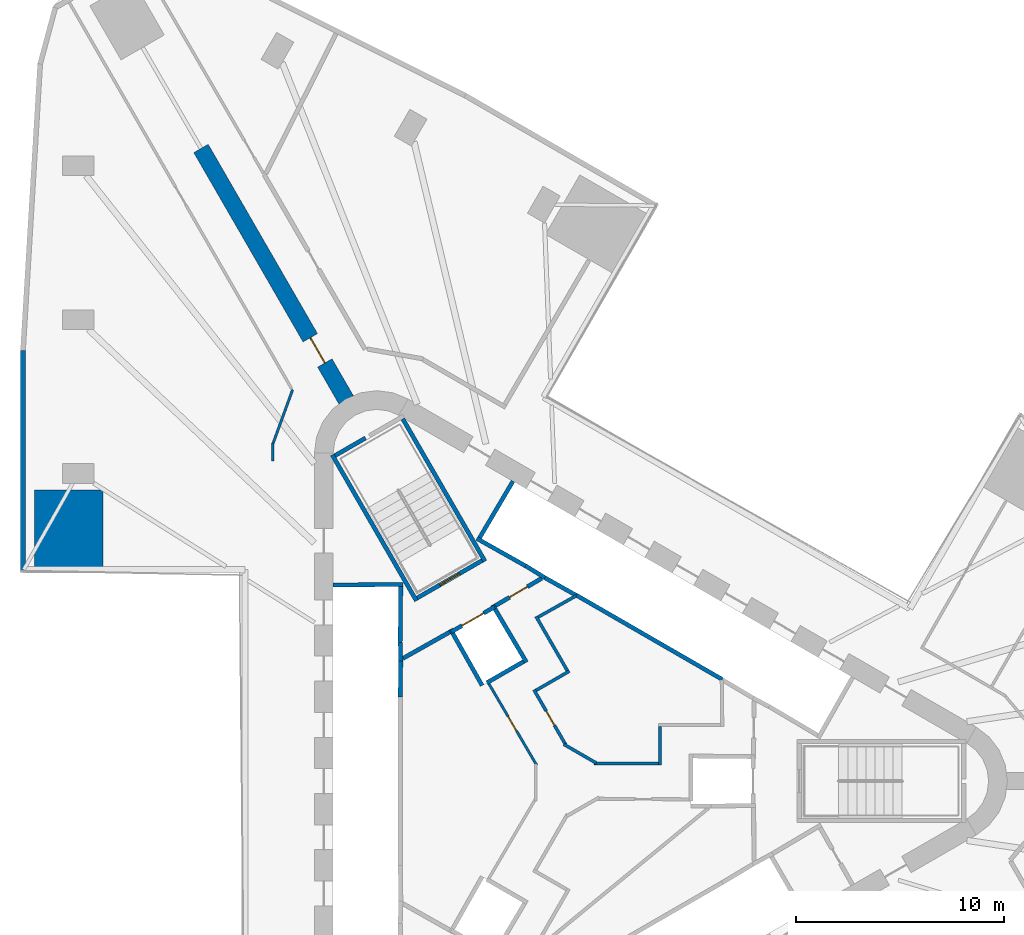
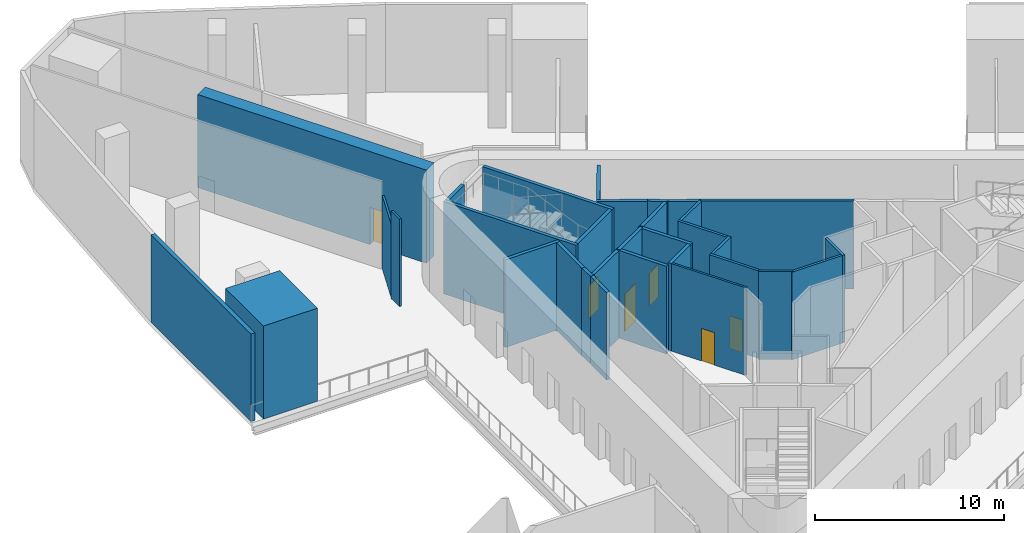
# One storey, part 5 of 11: 32 walls, 6 doors, 6 openings.
"""IFC4 building model written with IfcOpenShell, lengths in metres."""

from ifc_helpers import new_model, si_unit, direction, frame, frame_2d, origin, place, context, subcontext, project, spatial, polyline, rectangle, outline, extrude, material, layer, layer_set, type_object, element, fill, save


model = new_model("IFC4")

# Units and contexts
model_context = context("Model", 3, precision=1e-05, world=origin(), true_north=direction((0.0, 1.0)))
body_context = subcontext(model_context, "Body", "Model", "MODEL_VIEW")
ifc_project = project(units=[si_unit("LENGTHUNIT", "METRE"), si_unit("AREAUNIT", "SQUARE_METRE"), si_unit("VOLUMEUNIT", "CUBIC_METRE"), si_unit("PLANEANGLEUNIT", "RADIAN"), si_unit("MASSUNIT", "GRAM", prefix="KILO")], contexts=[model_context])

# Site, building, storey
site_placement = place(None, origin())
site = spatial("IfcSite", under=ifc_project, at=site_placement, CompositionType="ELEMENT")
building_placement = place(site_placement, origin())
building = spatial("IfcBuilding", under=site, at=building_placement, Name="Tanit Gate Tower", CompositionType="ELEMENT")
storey_placement = place(building_placement, frame((0.0, 0.0, 33.5)))
storey = spatial("IfcBuildingStorey", under=building, at=storey_placement, Name="L05", CompositionType="ELEMENT", Elevation=33.5)

# Wall, opening, door
ifc_material_1 = material(Name="Concrete C60/75", Category="concrete")
ifc_layer_1 = layer(ifc_material_1, 0.800048828125)
ifc_layer_set_1 = layer_set([ifc_layer_1], Name="BUTTRESS FIN 800 C60/75")
wall_type_1 = type_object("IfcWallType", Name="BUTTRESS FIN 800 C60/75", PredefinedType="SHEAR", material=ifc_layer_set_1)
wall_1_placement = place(storey_placement, frame((-10.574951171875, 18.31640625, 0.0), z_axis=(0.0, 0.0, 1.0), x_axis=(-0.499996575515, 0.866027380903, 0.0)))
wall_1 = element("IfcWall", 1, at=wall_1_placement, inside=storey, type_object=wall_type_1, Name="BUTTRESS FIN", PredefinedType="SHEAR", context=body_context, shape_type="SweptSolid", body=[
    extrude(rectangle(XDim=13.9541015625, YDim=0.800048828125, at=frame_2d((6.97705078125, 0.0))), origin(), (0.0, 0.0, 1.0), 6.0),
])
opening_1_placement = place(wall_1_placement, frame((2.050048828125, 0.0, 0.0)))
opening_1 = element("IfcOpeningElement", 2, at=opening_1_placement, cuts=wall_1, Name="Opening P14-05-F-NW-1", PredefinedType="OPENING", context=body_context, shape_type="SweptSolid", body=[
    extrude(rectangle(XDim=1.39990234375, YDim=2.39990234375, at=frame_2d((0.699951171875, 1.199951171875))), frame((0.0, 0.41015625, 0.0), z_axis=(0.0, -1.0, 0.0), x_axis=(1.0, 0.0, 0.0)), (0.0, 0.0, 1.0), 0.820068359375),
])
ifc_material_2 = material(Name="Timber door leaf", Category="wood")
door_type_1 = type_object("IfcDoorType", Name="INT-DOOR-FIN-PAIR-1400", OperationType="NOTDEFINED", PredefinedType="NOTDEFINED", material=ifc_material_2)
door_1_placement = place(opening_1_placement, origin())
door_1 = element("IfcDoor", 3, at=door_1_placement, inside=storey, type_object=door_type_1, Name="Door P14-05-F-NW-1", OperationType="DOUBLE_DOOR_SINGLE_SWING", OverallHeight=2.39990234375, OverallWidth=1.39990234375, PredefinedType="NOTDEFINED", context=body_context, shape_type="SweptSolid", body=[
    extrude(rectangle(XDim=1.39990234375, YDim=2.39990234375, at=frame_2d((0.699951171875, 1.199951171875))), frame((0.0, 0.02490234375, 0.0), z_axis=(0.0, -1.0, 0.0), x_axis=(1.0, 0.0, 0.0)), (0.0, 0.0, 1.0), 0.050048828125),
])
fill(opening_1, door_1)

# Walls
ifc_material_3 = material(Name="Concrete C30/37 with bronze anodised aluminium cladding", Category="concrete")
ifc_layer_2 = layer(ifc_material_3, 0.239990234375)
ifc_layer_set_2 = layer_set([ifc_layer_2], Name="Facade wall bronze clad 240")
wall_type_2 = type_object("IfcWallType", Name="Facade wall bronze clad 240", PredefinedType="SOLIDWALL", material=ifc_layer_set_2)
wall_2_placement = place(storey_placement, frame((-26.10986328125, 20.685302734375, 0.0), z_axis=(0.0, 0.0, 1.0), x_axis=(6.9319284e-05, -0.999999997597, 0.0)))
element("IfcWall", 4, at=wall_2_placement, inside=storey, type_object=wall_type_2, Name="Bronze-clad facade wall L05 W2a", PredefinedType="SOLIDWALL", context=body_context, shape_type="SweptSolid", body=[
    extrude(rectangle(XDim=10.56591796875, YDim=0.239990234375, at=frame_2d((5.282958984375, 0.0))), origin(), (0.0, 0.0, 1.0), 5.64990234375),
])
ifc_material_4 = material(Name="Fire-rated gypsum board partition")
ifc_layer_3 = layer(ifc_material_4, 0.199951171875)
ifc_layer_set_3 = layer_set([ifc_layer_3], Name="INT-WALL-COMPARTMENT")
wall_type_3 = type_object("IfcWallType", Name="INT-WALL-COMPARTMENT", PredefinedType="PARTITIONING", material=ifc_layer_set_3)
wall_3_placement = place(storey_placement, frame((-5.600341796875, 7.16015625, 0.0), z_axis=(0.0, 0.0, 1.0), x_axis=(-0.871340486379, -0.490678873396, 0.0)))
element("IfcWall", 5, at=wall_3_placement, inside=storey, type_object=wall_type_3, Name="Wall Compartment W065", PredefinedType="PARTITIONING", context=body_context, shape_type="SweptSolid", body=[
    extrude(rectangle(XDim=2.580810546875, YDim=0.199951171875, at=frame_2d((1.29052734375, 0.0))), origin(), (0.0, 0.0, 1.0), 5.64990234375),
])

# Wall, opening, door
wall_4_placement = place(storey_placement, frame((-1.179443359375, 9.74462890625, 0.0), z_axis=(0.0, 0.0, 1.0), x_axis=(-0.860598681535, -0.509283721849, 0.0)))
wall_4 = element("IfcWall", 6, at=wall_4_placement, inside=storey, type_object=wall_type_3, Name="Wall Compartment W066", PredefinedType="PARTITIONING", context=body_context, shape_type="SweptSolid", body=[
    extrude(rectangle(XDim=2.5810546875, YDim=0.199951171875, at=frame_2d((1.29052734375, 0.0))), origin(), (0.0, 0.0, 1.0), 5.64990234375),
])
opening_2_placement = place(wall_4_placement, frame((0.79052734375, 0.0, 0.0)))
opening_2 = element("IfcOpeningElement", 7, at=opening_2_placement, cuts=wall_4, Name="Opening F10-05-05", PredefinedType="OPENING", context=body_context, shape_type="SweptSolid", body=[
    extrude(rectangle(XDim=1.0, YDim=2.10009765625, at=frame_2d((0.5, 1.050048828125))), frame((0.0, 0.10986328125, 0.0), z_axis=(0.0, -1.0, 0.0), x_axis=(1.0, 0.0, 0.0)), (0.0, 0.0, 1.0), 0.219970703125),
])
ifc_material_5 = material(Name="Fire-rated steel door leaf", Category="steel")
door_type_2 = type_object("IfcDoorType", Name="INT-DOOR-FIRE-1000", OperationType="NOTDEFINED", PredefinedType="USERDEFINED", material=ifc_material_5)
door_2_placement = place(opening_2_placement, origin())
door_2 = element("IfcDoor", 8, at=door_2_placement, inside=storey, type_object=door_type_2, Name="Door F10-05-05", ObjectType="FIRE DOOR", OperationType="SINGLE_SWING_RIGHT", OverallHeight=2.10009765625, OverallWidth=1.0, PredefinedType="USERDEFINED", context=body_context, shape_type="SweptSolid", body=[
    extrude(rectangle(XDim=1.0, YDim=2.10009765625, at=frame_2d((0.5, 1.050048828125))), frame((0.0, 0.02490234375, 0.0), z_axis=(0.0, -1.0, 0.0), x_axis=(1.0, 0.0, 0.0)), (0.0, 0.0, 1.0), 0.050048828125),
])
fill(opening_2, door_2)

ifc_material_6 = material(Name="Gypsum board partition")
ifc_layer_4 = layer(ifc_material_6, 0.1201171875)
ifc_layer_set_4 = layer_set([ifc_layer_4], Name="INT-WALL-PARTITION")
wall_type_4 = type_object("IfcWallType", Name="INT-WALL-PARTITION", PredefinedType="PARTITIONING", material=ifc_layer_set_4)
wall_5_placement = place(storey_placement, frame((-1.42041015625, 0.76171875, 0.0), z_axis=(0.0, 0.0, 1.0), x_axis=(-0.505655878767, 0.862735261983, 0.0)))
wall_5 = element("IfcWall", 9, at=wall_5_placement, inside=storey, type_object=wall_type_4, Name="Wall Partition W069", PredefinedType="PARTITIONING", context=body_context, shape_type="SweptSolid", body=[
    extrude(rectangle(XDim=4.5302734375, YDim=0.1201171875, at=frame_2d((2.26513671875, 0.0))), origin(), (0.0, 0.0, 1.0), 5.64990234375),
])
opening_3_placement = place(wall_5_placement, frame((1.916259765625, 0.0, 0.0)))
opening_3 = element("IfcOpeningElement", 10, at=opening_3_placement, cuts=wall_5, Name="Opening R08-05-10", PredefinedType="OPENING", context=body_context, shape_type="SweptSolid", body=[
    extrude(rectangle(XDim=0.800048828125, YDim=2.10009765625, at=frame_2d((0.39990234375, 1.050048828125))), frame((0.0, 0.070068359375, 0.0), z_axis=(0.0, -1.0, 0.0), x_axis=(1.0, 0.0, 0.0)), (0.0, 0.0, 1.0), 0.14013671875),
])
ifc_material_7 = material(Name="Timber door leaf", Category="wood")
door_type_3 = type_object("IfcDoorType", Name="INT-DOOR-RISER-800", OperationType="NOTDEFINED", PredefinedType="USERDEFINED", material=ifc_material_7)
door_3_placement = place(opening_3_placement, origin())
door_3 = element("IfcDoor", 11, at=door_3_placement, inside=storey, type_object=door_type_3, Name="Door R08-05-10", ObjectType="FIRE DOOR", OperationType="SINGLE_SWING_RIGHT", OverallHeight=2.10009765625, OverallWidth=0.800048828125, PredefinedType="USERDEFINED", context=body_context, shape_type="SweptSolid", body=[
    extrude(rectangle(XDim=0.800048828125, YDim=2.10009765625, at=frame_2d((0.39990234375, 1.050048828125))), frame((0.0, 0.02490234375, 0.0), z_axis=(0.0, -1.0, 0.0), x_axis=(1.0, 0.0, 0.0)), (0.0, 0.0, 1.0), 0.050048828125),
])
fill(opening_3, door_3)

# Walls
wall_6_placement = place(storey_placement, frame((-14.10009765625, 16.253662109375, 0.0), z_axis=(0.0, 0.0, 1.0), x_axis=(0.0, -1.0, 0.0)))
element("IfcWall", 12, at=wall_6_placement, inside=storey, type_object=wall_type_4, Name="Wall Partition W088", PredefinedType="PARTITIONING", context=body_context, shape_type="SweptSolid", body=[
    extrude(rectangle(XDim=0.88037109375, YDim=0.1201171875, at=frame_2d((0.440185546875, 0.0))), origin(), (0.0, 0.0, 1.0), 5.64990234375),
])
wall_7_placement = place(storey_placement, frame((-13.14697265625, 18.81396484375, 0.0), z_axis=(0.0, 0.0, 1.0), x_axis=(-0.34182927991, -0.939762067438, 0.0)))
element("IfcWall", 13, at=wall_7_placement, inside=storey, type_object=wall_type_4, Name="Wall Partition W089", PredefinedType="PARTITIONING", context=body_context, shape_type="SweptSolid", body=[
    extrude(rectangle(XDim=2.728271484375, YDim=0.1201171875, at=frame_2d((1.3642578125, 0.0))), origin(), (0.0, 0.0, 1.0), 4.72998046875),
])
ifc_material_8 = material(Name="Fire-rated gypsum board partition")
ifc_layer_5 = layer(ifc_material_8, 0.14990234375)
ifc_layer_set_5 = layer_set([ifc_layer_5], Name="INT-WALL-RISER")
wall_type_5 = type_object("IfcWallType", Name="INT-WALL-RISER", PredefinedType="PLUMBINGWALL", material=ifc_layer_set_5)
wall_8_placement = place(storey_placement, frame((4.5, 0.77490234375, 0.0), z_axis=(0.0, 0.0, 1.0), x_axis=(0.0, 1.0, 0.0)))
element("IfcWall", 14, at=wall_8_placement, inside=storey, type_object=wall_type_5, Name="Wall Riser W081", PredefinedType="PLUMBINGWALL", context=body_context, shape_type="SweptSolid", body=[
    extrude(rectangle(XDim=1.85009765625, YDim=0.14990234375, at=frame_2d((0.925048828125, 0.0))), origin(), (0.0, 0.0, 1.0), 5.64990234375),
])
wall_9_placement = place(storey_placement, frame((1.34228515625, 0.85009765625, 0.0), z_axis=(0.0, 0.0, 1.0), x_axis=(1.0, 0.0, 0.0)))
element("IfcWall", 15, at=wall_9_placement, inside=storey, type_object=wall_type_5, Name="Wall Riser W082", PredefinedType="PLUMBINGWALL", context=body_context, shape_type="SweptSolid", body=[
    extrude(rectangle(XDim=3.082763671875, YDim=0.14990234375, at=frame_2d((1.54150390625, 0.0))), origin(), (0.0, 0.0, 1.0), 5.64990234375),
])
wall_10_placement = place(storey_placement, frame((-0.112548828125, 1.764892578125, 0.0), z_axis=(0.0, 0.0, 1.0), x_axis=(0.866039322102, -0.499975891992, 0.0)))
element("IfcWall", 16, at=wall_10_placement, inside=storey, type_object=wall_type_5, Name="Wall Riser W083", PredefinedType="PLUMBINGWALL", context=body_context, shape_type="SweptSolid", body=[
    extrude(rectangle(XDim=1.806640625, YDim=0.14990234375, at=frame_2d((0.9033203125, 0.0))), origin(), (0.0, 0.0, 1.0), 5.64990234375),
])

# Wall, opening, door
wall_11_placement = place(storey_placement, frame((-1.55126953125, 4.386962890625, 0.0), z_axis=(0.0, 0.0, 1.0), x_axis=(0.499976393034, -0.866039032844, 0.0)))
wall_11 = element("IfcWall", 17, at=wall_11_placement, inside=storey, type_object=wall_type_5, Name="Wall Riser W084", PredefinedType="PLUMBINGWALL", context=body_context, shape_type="SweptSolid", body=[
    extrude(rectangle(XDim=3.079345703125, YDim=0.14990234375, at=frame_2d((1.53955078125, 0.0))), origin(), (0.0, 0.0, 1.0), 5.64990234375),
])
opening_4_placement = place(wall_11_placement, frame((1.17724609375, 0.0, 0.0)))
opening_4 = element("IfcOpeningElement", 18, at=opening_4_placement, cuts=wall_11, Name="Opening R08-05-13", PredefinedType="OPENING", context=body_context, shape_type="SweptSolid", body=[
    extrude(rectangle(XDim=0.800048828125, YDim=2.10009765625, at=frame_2d((0.39990234375, 1.050048828125))), frame((0.0, 0.0849609375, 0.0), z_axis=(0.0, -1.0, 0.0), x_axis=(1.0, 0.0, 0.0)), (0.0, 0.0, 1.0), 0.169921875),
])
door_4_placement = place(opening_4_placement, origin())
door_4 = element("IfcDoor", 19, at=door_4_placement, inside=storey, type_object=door_type_3, Name="Door R08-05-13", ObjectType="FIRE DOOR", OperationType="SINGLE_SWING_RIGHT", OverallHeight=2.10009765625, OverallWidth=0.800048828125, PredefinedType="USERDEFINED", context=body_context, shape_type="SweptSolid", body=[
    extrude(rectangle(XDim=0.800048828125, YDim=2.10009765625, at=frame_2d((0.39990234375, 1.050048828125))), frame((0.0, 0.02490234375, 0.0), z_axis=(0.0, -1.0, 0.0), x_axis=(1.0, 0.0, 0.0)), (0.0, 0.0, 1.0), 0.050048828125),
])
fill(opening_4, door_4)

# Walls
wall_12_placement = place(storey_placement, frame((0.1533203125, 5.28466796875, 0.0), z_axis=(0.0, 0.0, 1.0), x_axis=(-0.866033964044, -0.499985172903, 0.0)))
element("IfcWall", 20, at=wall_12_placement, inside=storey, type_object=wall_type_5, Name="Wall Riser W085", PredefinedType="PLUMBINGWALL", context=body_context, shape_type="SweptSolid", body=[
    extrude(rectangle(XDim=1.85009765625, YDim=0.14990234375, at=frame_2d((0.925048828125, 0.0))), origin(), (0.0, 0.0, 1.0), 5.64990234375),
])
wall_13_placement = place(storey_placement, frame((-1.44921875, 7.91015625, 0.0), z_axis=(0.0, 0.0, 1.0), x_axis=(0.499990139034, -0.866031096941, 0.0)))
element("IfcWall", 21, at=wall_13_placement, inside=storey, type_object=wall_type_5, Name="Wall Riser W086", PredefinedType="PLUMBINGWALL", context=body_context, shape_type="SweptSolid", body=[
    extrude(rectangle(XDim=3.0, YDim=0.14990234375, at=frame_2d((1.5, 0.0))), origin(), (0.0, 0.0, 1.0), 5.64990234375),
])
wall_14_placement = place(storey_placement, frame((0.475341796875, 8.9052734375, 0.0), z_axis=(0.0, 0.0, 1.0), x_axis=(-0.871843752163, -0.489784107353, 0.0)))
element("IfcWall", 22, at=wall_14_placement, inside=storey, type_object=wall_type_5, Name="Wall Riser W087", PredefinedType="PLUMBINGWALL", context=body_context, shape_type="SweptSolid", body=[
    extrude(rectangle(XDim=2.089599609375, YDim=0.14990234375, at=frame_2d((1.044921875, 0.0))), origin(), (0.0, 0.0, 1.0), 5.64990234375),
])
ifc_material_9 = material(Name="Gypsum shaft wall system")
ifc_layer_6 = layer(ifc_material_9, 0.199951171875)
ifc_layer_set_6 = layer_set([ifc_layer_6], Name="INT-WALL-SHAFT")
wall_type_6 = type_object("IfcWallType", Name="INT-WALL-SHAFT", PredefinedType="PLUMBINGWALL", material=ifc_layer_set_6)
wall_15_placement = place(storey_placement, frame((-11.199951171875, 9.419921875, 0.0), z_axis=(0.0, 0.0, 1.0), x_axis=(0.999957167047, 0.009255488683, 0.0)))
element("IfcWall", 23, at=wall_15_placement, inside=storey, type_object=wall_type_6, Name="Wall Shaft W001", PredefinedType="PLUMBINGWALL", context=body_context, shape_type="SweptSolid", body=[
    extrude(rectangle(XDim=3.35009765625, YDim=0.199951171875, at=frame_2d((1.675048828125, 0.0))), origin(), (0.0, 0.0, 1.0), 5.64990234375),
])
wall_16_placement = place(storey_placement, frame((-7.951171875, 9.35009765625, 0.0), z_axis=(0.0, 0.0, 1.0), x_axis=(-0.011120469654, -0.999938165666, 0.0)))
element("IfcWall", 24, at=wall_16_placement, inside=storey, type_object=wall_type_6, Name="Wall Shaft W002", PredefinedType="PLUMBINGWALL", context=body_context, shape_type="SweptSolid", body=[
    extrude(rectangle(XDim=2.700439453125, YDim=0.199951171875, at=frame_2d((1.35009765625, 0.0))), origin(), (0.0, 0.0, 1.0), 5.64990234375),
])
wall_17_placement = place(storey_placement, frame((7.497314453125, 4.885986328125, 0.0), z_axis=(0.0, 0.0, 1.0), x_axis=(-0.866030989016, 0.499990325971, 0.0)))
element("IfcWall", 25, at=wall_17_placement, inside=storey, type_object=wall_type_6, Name="Wall Shaft W003", PredefinedType="PLUMBINGWALL", context=body_context, shape_type="SweptSolid", body=[
    extrude(rectangle(XDim=8.099853515625, YDim=0.199951171875, at=frame_2d((4.0498046875, 0.0))), origin(), (0.0, 0.0, 1.0), 5.64990234375),
])
wall_18_placement = place(storey_placement, frame((-7.97705078125, 6.650146484375, 0.0), z_axis=(0.0, 0.0, 1.0), x_axis=(0.030861509705, -0.999523670164, 0.0)))
element("IfcWall", 26, at=wall_18_placement, inside=storey, type_object=wall_type_6, Name="Wall Shaft W004", PredefinedType="PLUMBINGWALL", context=body_context, shape_type="SweptSolid", body=[
    extrude(rectangle(XDim=0.878173828125, YDim=0.199951171875, at=frame_2d((0.43896484375, 0.0))), origin(), (0.0, 0.0, 1.0), 5.64990234375),
])
wall_19_placement = place(storey_placement, frame((-7.948974609375, 5.894287109375, 0.0), z_axis=(0.0, 0.0, 1.0), x_axis=(-0.016809909365, -0.999858703491, 0.0)))
element("IfcWall", 27, at=wall_19_placement, inside=storey, type_object=wall_type_6, Name="Wall Shaft W005", PredefinedType="PLUMBINGWALL", context=body_context, shape_type="SweptSolid", body=[
    extrude(rectangle(XDim=1.844482421875, YDim=0.199951171875, at=frame_2d((0.92236328125, 0.0))), origin(), (0.0, 0.0, 1.0), 5.64990234375),
])
wall_20_placement = place(storey_placement, frame((-1.940673828125, 10.338623046875, 0.0), z_axis=(0.0, 0.0, 1.0), x_axis=(0.850216889117, -0.526432561171, 0.0)))
element("IfcWall", 28, at=wall_20_placement, inside=storey, type_object=wall_type_6, Name="Wall Shaft W019", PredefinedType="PLUMBINGWALL", context=body_context, shape_type="SweptSolid", body=[
    extrude(rectangle(XDim=1.078369140625, YDim=0.199951171875, at=frame_2d((0.5390625, 0.0))), origin(), (0.0, 0.0, 1.0), 5.64990234375),
])
wall_21_placement = place(storey_placement, frame((0.478271484375, 8.928466796875, 0.0), z_axis=(0.0, 0.0, 1.0), x_axis=(-0.871988740738, 0.489525929882, 0.0)))
element("IfcWall", 29, at=wall_21_placement, inside=storey, type_object=wall_type_6, Name="Wall Shaft W020", PredefinedType="PLUMBINGWALL", context=body_context, shape_type="SweptSolid", body=[
    extrude(rectangle(XDim=1.8447265625, YDim=0.199951171875, at=frame_2d((0.92236328125, 0.0))), origin(), (0.0, 0.0, 1.0), 5.64990234375),
])
wall_22_placement = place(storey_placement, frame((-4.296142578125, 11.658935546875, 0.0), z_axis=(0.0, 0.0, 1.0), x_axis=(0.871534483978, -0.490334215854, 0.0)))
element("IfcWall", 30, at=wall_22_placement, inside=storey, type_object=wall_type_6, Name="Wall Shaft W021", PredefinedType="PLUMBINGWALL", context=body_context, shape_type="SweptSolid", body=[
    extrude(rectangle(XDim=2.7001953125, YDim=0.199951171875, at=frame_2d((1.35009765625, 0.0))), origin(), (0.0, 0.0, 1.0), 5.64990234375),
])
wall_23_placement = place(storey_placement, frame((-4.158203125, 11.696044921875, 0.0), z_axis=(0.0, 0.0, 1.0), x_axis=(0.508018930956, 0.861345903683, 0.0)))
element("IfcWall", 31, at=wall_23_placement, inside=storey, type_object=wall_type_6, Name="Wall Shaft W022", PredefinedType="PLUMBINGWALL", context=body_context, shape_type="SweptSolid", body=[
    extrude(rectangle(XDim=3.150146484375, YDim=0.199951171875, at=frame_2d((1.5751953125, 0.0))), origin(), (0.0, 0.0, 1.0), 5.64990234375),
])

# Wall, opening, door
wall_24_placement = place(storey_placement, frame((-5.524169921875, 7.168212890625, 0.0), z_axis=(0.0, 0.0, 1.0), x_axis=(0.866024647952, 0.500001309137, 0.0)))
wall_24 = element("IfcWall", 32, at=wall_24_placement, inside=storey, type_object=wall_type_6, Name="Wall Shaft W048", PredefinedType="PLUMBINGWALL", context=body_context, shape_type="SweptSolid", body=[
    extrude(rectangle(XDim=2.39990234375, YDim=0.199951171875, at=frame_2d((1.199951171875, 0.0))), origin(), (0.0, 0.0, 1.0), 5.64990234375),
])
opening_5_placement = place(wall_24_placement, frame((0.60009765625, 0.0, 0.0)))
opening_5 = element("IfcOpeningElement", 33, at=opening_5_placement, cuts=wall_24, Name="Opening LDFL2-L05", PredefinedType="OPENING", context=body_context, shape_type="SweptSolid", body=[
    extrude(rectangle(XDim=1.199951171875, YDim=2.39990234375, at=frame_2d((0.60009765625, 1.199951171875))), frame((0.0, 0.10986328125, 0.0), z_axis=(0.0, -1.0, 0.0), x_axis=(1.0, 0.0, 0.0)), (0.0, 0.0, 1.0), 0.219970703125),
])
ifc_material_10 = material(Name="Stainless steel sliding door leaf", Category="steel")
door_type_4 = type_object("IfcDoorType", Name="INT-DOOR-LANDING-1200", OperationType="NOTDEFINED", PredefinedType="USERDEFINED", material=ifc_material_10)
door_5_placement = place(opening_5_placement, origin())
door_5 = element("IfcDoor", 34, at=door_5_placement, inside=storey, type_object=door_type_4, Name="Door LDFL2-L05", ObjectType="LANDING DOOR", OperationType="SLIDING_TO_LEFT", OverallHeight=2.39990234375, OverallWidth=1.199951171875, PredefinedType="USERDEFINED", context=body_context, shape_type="SweptSolid", body=[
    extrude(rectangle(XDim=1.199951171875, YDim=2.39990234375, at=frame_2d((0.60009765625, 1.199951171875))), frame((0.0, 0.02490234375, 0.0), z_axis=(0.0, -1.0, 0.0), x_axis=(1.0, 0.0, 0.0)), (0.0, 0.0, 1.0), 0.050048828125),
])
fill(opening_5, door_5)

# Walls
wall_25_placement = place(storey_placement, frame((-4.039306640625, 4.59619140625, 0.0), z_axis=(0.0, 0.0, 1.0), x_axis=(-0.491322718731, 0.870977603649, 0.0)))
element("IfcWall", 35, at=wall_25_placement, inside=storey, type_object=wall_type_6, Name="Wall Shaft W049", PredefinedType="PLUMBINGWALL", context=body_context, shape_type="SweptSolid", body=[
    extrude(rectangle(XDim=3.10009765625, YDim=0.199951171875, at=frame_2d((1.550048828125, 0.0))), origin(), (0.0, 0.0, 1.0), 5.64990234375),
])
wall_26_placement = place(storey_placement, frame((-3.53759765625, 8.46533203125, 0.0), z_axis=(0.0, 0.0, 1.0), x_axis=(0.508616218331, -0.860993346345, 0.0)))
element("IfcWall", 36, at=wall_26_placement, inside=storey, type_object=wall_type_6, Name="Wall Shaft W050", PredefinedType="PLUMBINGWALL", context=body_context, shape_type="SweptSolid", body=[
    extrude(rectangle(XDim=3.2001953125, YDim=0.199951171875, at=frame_2d((1.60009765625, 0.0))), origin(), (0.0, 0.0, 1.0), 5.64990234375),
])
wall_27_placement = place(storey_placement, frame((-2.04736328125, 5.74609375, 0.0), z_axis=(0.0, 0.0, 1.0), x_axis=(-0.866032100247, -0.499988401207, 0.0)))
element("IfcWall", 37, at=wall_27_placement, inside=storey, type_object=wall_type_6, Name="Wall Shaft W051", PredefinedType="PLUMBINGWALL", context=body_context, shape_type="SweptSolid", body=[
    extrude(rectangle(XDim=2.03955078125, YDim=0.199951171875, at=frame_2d((1.019775390625, 0.0))), origin(), (0.0, 0.0, 1.0), 5.64990234375),
])
ifc_material_11 = material(Name="Concrete C40/50", Category="concrete")
ifc_layer_7 = layer(ifc_material_11, 0.199951171875)
ifc_layer_set_7 = layer_set([ifc_layer_7], Name="INT-WALL-STAIR")
wall_type_7 = type_object("IfcWallType", Name="INT-WALL-STAIR", PredefinedType="SHEAR", material=ifc_layer_set_7)
wall_28_placement = place(storey_placement, frame((-11.245361328125, 15.677734375, -0.300048828125), z_axis=(0.0, 0.0, 1.0), x_axis=(0.499977274689, -0.866038523851, 0.0)))
element("IfcWall", 38, at=wall_28_placement, inside=storey, type_object=wall_type_7, Name="Wall Stair W043", PredefinedType="SHEAR", context=body_context, shape_type="SweptSolid", body=[
    extrude(rectangle(XDim=8.10009765625, YDim=0.199951171875, at=frame_2d((4.050048828125, 0.0))), origin(), (0.0, 0.0, 1.0), 5.949951171875),
])
wall_29_placement = place(storey_placement, frame((-9.645263671875, 16.486083984375, -0.300048828125), z_axis=(0.0, 0.0, 1.0), x_axis=(-0.866038843867, -0.499976720371, 0.0)))
element("IfcWall", 39, at=wall_29_placement, inside=storey, type_object=wall_type_7, Name="Wall Stair W044", PredefinedType="SHEAR", context=body_context, shape_type="SweptSolid", body=[
    extrude(rectangle(XDim=1.68994140625, YDim=0.199951171875, at=frame_2d((0.844970703125, 0.0))), origin(), (0.0, 0.0, 1.0), 5.949951171875),
])
wall_30_placement = place(storey_placement, frame((-7.8544921875, 17.404541015625, -0.300048828125), z_axis=(0.0, 0.0, 1.0), x_axis=(0.499997992926, -0.866026562566, 0.0)))
element("IfcWall", 40, at=wall_30_placement, inside=storey, type_object=wall_type_7, Name="Wall Stair W046", PredefinedType="SHEAR", context=body_context, shape_type="SweptSolid", body=[
    extrude(rectangle(XDim=7.89990234375, YDim=0.199951171875, at=frame_2d((3.949951171875, 0.0))), origin(), (0.0, 0.0, 1.0), 5.949951171875),
])

# Wall, opening, door
wall_31_placement = place(storey_placement, frame((-7.158935546875, 8.799560546875, -0.300048828125), z_axis=(0.0, 0.0, 1.0), x_axis=(0.866047807691, 0.499961193289, 0.0)))
wall_31 = element("IfcWall", 41, at=wall_31_placement, inside=storey, type_object=wall_type_7, Name="Wall Stair W047", PredefinedType="SHEAR", context=body_context, shape_type="SweptSolid", body=[
    extrude(rectangle(XDim=3.599853515625, YDim=0.199951171875, at=frame_2d((1.7998046875, 0.0))), origin(), (0.0, 0.0, 1.0), 5.949951171875),
])
opening_6_placement = place(wall_31_placement, frame((1.25, 0.0, 0.300048828125)))
opening_6 = element("IfcOpeningElement", 42, at=opening_6_placement, cuts=wall_31, Name="Opening S11-05-04", PredefinedType="OPENING", context=body_context, shape_type="SweptSolid", body=[
    extrude(rectangle(XDim=1.10009765625, YDim=2.10009765625, at=frame_2d((0.550048828125, 1.050048828125))), frame((0.0, 0.10986328125, 0.0), z_axis=(0.0, -1.0, 0.0), x_axis=(1.0, 0.0, 0.0)), (0.0, 0.0, 1.0), 0.219970703125),
])
ifc_material_12 = material(Name="Timber door leaf", Category="wood")
door_type_5 = type_object("IfcDoorType", Name="INT-DOOR-STAIR-1100", OperationType="NOTDEFINED", PredefinedType="USERDEFINED", material=ifc_material_12)
door_6_placement = place(opening_6_placement, origin())
door_6 = element("IfcDoor", 43, at=door_6_placement, inside=storey, type_object=door_type_5, Name="Door S11-05-04", ObjectType="FIRE DOOR", OperationType="SINGLE_SWING_LEFT", OverallHeight=2.10009765625, OverallWidth=1.10009765625, PredefinedType="USERDEFINED", context=body_context, shape_type="SweptSolid", body=[
    extrude(rectangle(XDim=1.10009765625, YDim=2.10009765625, at=frame_2d((0.550048828125, 1.050048828125))), frame((0.0, 0.02490234375, 0.0), z_axis=(0.0, -1.0, 0.0), x_axis=(1.0, 0.0, 0.0)), (0.0, 0.0, 1.0), 0.050048828125),
])
fill(opening_6, door_6)

# Wall
ifc_material_13 = material(Name="Concrete C60/75", Category="concrete")
ifc_layer_8 = layer(ifc_material_13, 4.0)
ifc_layer_set_8 = layer_set([ifc_layer_8], Name="PIER WALL 4000 C60/75")
wall_type_8 = type_object("IfcWallType", Name="PIER WALL 4000 C60/75", PredefinedType="SHEAR", material=ifc_layer_set_8)
wall_32_placement = place(storey_placement, origin())
element("IfcWall", 44, at=wall_32_placement, inside=storey, type_object=wall_type_8, Name="PIER WALL", PredefinedType="SHEAR", context=body_context, shape_type="SweptSolid", body=[
    extrude(outline(polyline([(-25.553466796875, 14.0), (-25.553466796875, 10.0), (-22.25341796875, 10.0), (-22.25341796875, 14.0), (-25.553466796875, 14.0)])), origin(), (0.0, 0.0, 1.0), 6.0),
])

save(model, "model.ifc")
